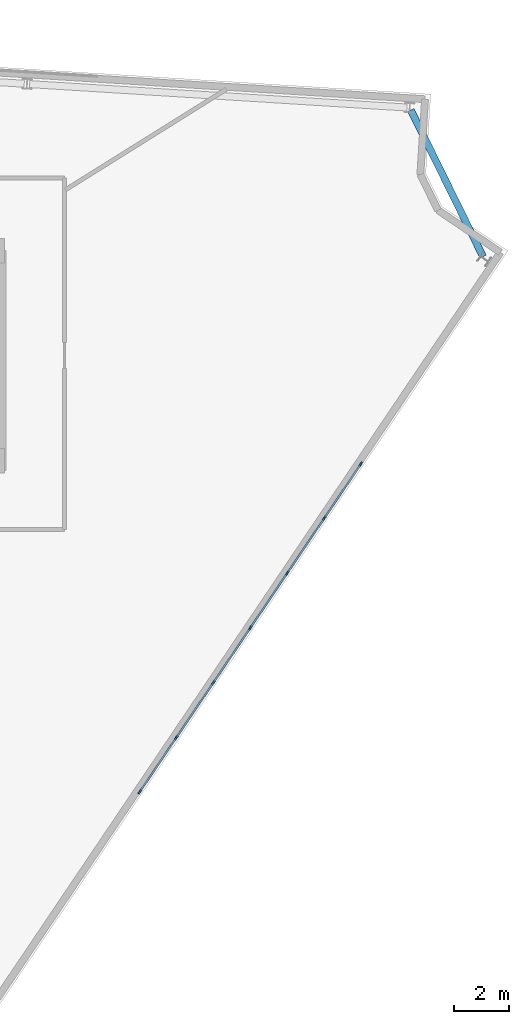
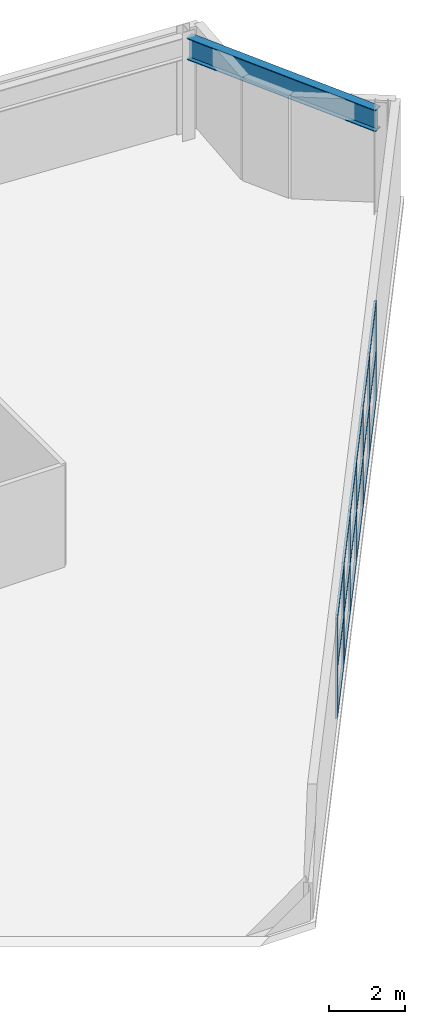
# One storey, part 4 of 8: 25 members, 1 beam, 1 element without a shape of its own.
"""IFC4 building model written with IfcOpenShell, lengths in metres."""

from ifc_helpers import new_model, si_unit, direction, frame, origin, origin_2d, place, context, subcontext, project, spatial, rectangle, i_section, extrude, material, layer, layer_set, material_profile, profile_set, type_object, element, aggregate, save


model = new_model("IFC4")

# Units and contexts
model_context = context("Model", 3, precision=1e-05, world=origin(), true_north=direction((0.0, 1.0)))
body_context = subcontext(model_context, "Body", "Model", "MODEL_VIEW")
ifc_project = project(units=[si_unit("LENGTHUNIT", "METRE"), si_unit("AREAUNIT", "SQUARE_METRE"), si_unit("VOLUMEUNIT", "CUBIC_METRE"), si_unit("PLANEANGLEUNIT", "RADIAN"), si_unit("MASSUNIT", "GRAM", prefix="KILO")], contexts=[model_context])

# Site, building, storey
site_placement = place(None, origin())
site = spatial("IfcSite", under=ifc_project, at=site_placement, CompositionType="ELEMENT")
building_placement = place(site_placement, origin())
building = spatial("IfcBuilding", under=site, at=building_placement, Name="Apsidion Concourse Tower", CompositionType="ELEMENT")
storey_placement = place(building_placement, frame((0.0, 0.0, 332.5)))
storey = spatial("IfcBuildingStorey", under=building, at=storey_placement, Name="L78", CompositionType="ELEMENT", Elevation=332.5)

# Beam
ifc_material_1 = material(Name="Structural steel ASTM A992 Grade 50", Category="steel")
ifc_material_profile_1 = material_profile(ifc_material_1, i_section(OverallWidth=0.256103515625, OverallDepth=0.693115234375, WebThickness=0.014404296875, FlangeThickness=0.023681640625, at=origin_2d()), Name="W27X114")
ifc_profile_set_1 = profile_set([ifc_material_profile_1], Name="Structural steel ASTM A992 Grade 50")
beam_type = type_object("IfcBeamType", Name="BM-SP-W27", PredefinedType="SPANDREL", material=ifc_profile_set_1)
beam_placement = place(storey_placement, frame((25.164794921875, 8.922119140625, 2.93359375), z_axis=(-0.441884134894, 0.897072132734, 0.0), x_axis=(-0.897072132734, -0.441884134894, 0.0)))
element("IfcBeam", 1, at=beam_placement, inside=storey, type_object=beam_type, Name="L78 Crown Perimeter Spandrel Beam CSP-02", PredefinedType="SPANDREL", context=body_context, shape_type="SweptSolid", body=[
    extrude(i_section(OverallWidth=0.256103515625, OverallDepth=0.693115234375, WebThickness=0.014404296875, FlangeThickness=0.023681640625, at=origin_2d()), origin(), (0.0, 0.0, 1.0), 5.982421875),
])

# Curtain wall, members
ifc_material_2 = material(Name="Insulated laminated low-E glass", Category="glass")
ifc_layer = layer(ifc_material_2, 0.239990234375)
ifc_layer_set = layer_set([ifc_layer], Name="Insulated laminated low-E glass")
curtain_wall_type = type_object("IfcCurtainWallType", Name="CW-SYS-06", PredefinedType="NOTDEFINED", material=ifc_layer_set)
curtain_wall_placement = place(storey_placement, origin())
curtain_wall = element("IfcCurtainWall", 2, at=curtain_wall_placement, inside=storey, type_object=curtain_wall_type, Name="L78 Slanted Crown Curtain Wall 8", PredefinedType="NOTDEFINED")
ifc_material_3 = material(Name="Anodised aluminium EN AW-6063 T6", Category="aluminium")
ifc_material_profile_2 = material_profile(ifc_material_3, rectangle(XDim=0.06494140625, YDim=0.179931640625, at=origin_2d()), Name="ALU MULLION 65x180")
ifc_profile_set_2 = profile_set([ifc_material_profile_2], Name="Anodised aluminium EN AW-6063 T6")
member_type_1 = type_object("IfcMemberType", Name="CWM-65X180", PredefinedType="MULLION", material=ifc_profile_set_2)
member_1_placement = place(storey_placement, frame((20.68896484375, 1.335693359375, 0.0), z_axis=(0.0, 0.0, 1.0), x_axis=(0.829038078637, -0.559192153172, 0.0)))
member_1 = element("IfcMember", 3, at=member_1_placement, type_object=member_type_1, Name="CW-06 mullion 1", PredefinedType="MULLION", context=body_context, shape_type="SweptSolid", body=[
    extrude(rectangle(XDim=0.06494140625, YDim=0.179931640625, at=origin_2d()), origin(), (0.0, 0.0, 1.0), 3.22998046875),
])
member_2_placement = place(storey_placement, frame((19.3525390625, -0.6455078125, 0.0), z_axis=(0.0, 0.0, 1.0), x_axis=(0.829038078637, -0.559192153172, 0.0)))
member_2 = element("IfcMember", 4, at=member_2_placement, type_object=member_type_1, Name="CW-06 mullion 2", PredefinedType="MULLION", context=body_context, shape_type="SweptSolid", body=[
    extrude(rectangle(XDim=0.06494140625, YDim=0.179931640625, at=origin_2d()), origin(), (0.0, 0.0, 1.0), 3.22998046875),
])
member_3_placement = place(storey_placement, frame((17.998046875, -2.653564453125, 0.0), z_axis=(0.0, 0.0, 1.0), x_axis=(0.829038078637, -0.559192153172, 0.0)))
member_3 = element("IfcMember", 5, at=member_3_placement, type_object=member_type_1, Name="CW-06 mullion 3", PredefinedType="MULLION", context=body_context, shape_type="SweptSolid", body=[
    extrude(rectangle(XDim=0.06494140625, YDim=0.179931640625, at=origin_2d()), origin(), (0.0, 0.0, 1.0), 3.22998046875),
])
member_4_placement = place(storey_placement, frame((16.643798828125, -4.66162109375, 0.0), z_axis=(0.0, 0.0, 1.0), x_axis=(0.829038078637, -0.559192153172, 0.0)))
member_4 = element("IfcMember", 6, at=member_4_placement, type_object=member_type_1, Name="CW-06 mullion 4", PredefinedType="MULLION", context=body_context, shape_type="SweptSolid", body=[
    extrude(rectangle(XDim=0.06494140625, YDim=0.179931640625, at=origin_2d()), origin(), (0.0, 0.0, 1.0), 3.22998046875),
])
member_5_placement = place(storey_placement, frame((15.289306640625, -6.669677734375, 0.0), z_axis=(0.0, 0.0, 1.0), x_axis=(0.829038078637, -0.559192153172, 0.0)))
member_5 = element("IfcMember", 7, at=member_5_placement, type_object=member_type_1, Name="CW-06 mullion 5", PredefinedType="MULLION", context=body_context, shape_type="SweptSolid", body=[
    extrude(rectangle(XDim=0.06494140625, YDim=0.179931640625, at=origin_2d()), origin(), (0.0, 0.0, 1.0), 3.22998046875),
])
member_6_placement = place(storey_placement, frame((13.934814453125, -8.677734375, 0.0), z_axis=(0.0, 0.0, 1.0), x_axis=(0.829038078637, -0.559192153172, 0.0)))
member_6 = element("IfcMember", 8, at=member_6_placement, type_object=member_type_1, Name="CW-06 mullion 6", PredefinedType="MULLION", context=body_context, shape_type="SweptSolid", body=[
    extrude(rectangle(XDim=0.06494140625, YDim=0.179931640625, at=origin_2d()), origin(), (0.0, 0.0, 1.0), 3.22998046875),
])
member_7_placement = place(storey_placement, frame((12.598388671875, -10.658935546875, 0.0), z_axis=(0.0, 0.0, 1.0), x_axis=(0.829038078637, -0.559192153172, 0.0)))
member_7 = element("IfcMember", 9, at=member_7_placement, type_object=member_type_1, Name="CW-06 mullion 7", PredefinedType="MULLION", context=body_context, shape_type="SweptSolid", body=[
    extrude(rectangle(XDim=0.06494140625, YDim=0.179931640625, at=origin_2d()), origin(), (0.0, 0.0, 1.0), 3.22998046875),
])
ifc_material_profile_3 = material_profile(ifc_material_3, rectangle(XDim=0.06494140625, YDim=0.139892578125, at=origin_2d()), Name="ALU TRANSOM 65x140")
ifc_profile_set_3 = profile_set([ifc_material_profile_3], Name="Anodised aluminium EN AW-6063 T6")
member_type_2 = type_object("IfcMemberType", Name="CWT-65X140", PredefinedType="USERDEFINED", material=ifc_profile_set_3)
member_8_placement = place(storey_placement, frame((20.670654296875, 1.30859375, 0.032470703125), z_axis=(-0.559151741242, -0.829065335342, 0.0), x_axis=(0.829065335342, -0.559151741242, 0.0)))
member_8 = element("IfcMember", 10, at=member_8_placement, type_object=member_type_2, Name="CW-06 transom 1.1", ObjectType="TRANSOM", PredefinedType="USERDEFINED", context=body_context, shape_type="SweptSolid", body=[
    extrude(rectangle(XDim=0.06494140625, YDim=0.139892578125, at=origin_2d()), origin(), (0.0, 0.0, 1.0), 2.32470703125),
])
member_9_placement = place(storey_placement, frame((20.670654296875, 1.30859375, 1.614990234375), z_axis=(-0.559151741242, -0.829065335342, 0.0), x_axis=(0.829065335342, -0.559151741242, 0.0)))
member_9 = element("IfcMember", 11, at=member_9_placement, type_object=member_type_2, Name="CW-06 transom 1.2", ObjectType="TRANSOM", PredefinedType="USERDEFINED", context=body_context, shape_type="SweptSolid", body=[
    extrude(rectangle(XDim=0.06494140625, YDim=0.139892578125, at=origin_2d()), origin(), (0.0, 0.0, 1.0), 2.32470703125),
])
member_10_placement = place(storey_placement, frame((20.670654296875, 1.30859375, 3.197509765625), z_axis=(-0.559151741242, -0.829065335342, 0.0), x_axis=(0.829065335342, -0.559151741242, 0.0)))
member_10 = element("IfcMember", 12, at=member_10_placement, type_object=member_type_2, Name="CW-06 transom 1.3", ObjectType="TRANSOM", PredefinedType="USERDEFINED", context=body_context, shape_type="SweptSolid", body=[
    extrude(rectangle(XDim=0.06494140625, YDim=0.139892578125, at=origin_2d()), origin(), (0.0, 0.0, 1.0), 2.32470703125),
])
member_11_placement = place(storey_placement, frame((19.33447265625, -0.67236328125, 0.032470703125), z_axis=(-0.559161534618, -0.82905873025, 0.0), x_axis=(0.82905873025, -0.559161534618, 0.0)))
member_11 = element("IfcMember", 13, at=member_11_placement, type_object=member_type_2, Name="CW-06 transom 2.1", ObjectType="TRANSOM", PredefinedType="USERDEFINED", context=body_context, shape_type="SweptSolid", body=[
    extrude(rectangle(XDim=0.06494140625, YDim=0.139892578125, at=origin_2d()), origin(), (0.0, 0.0, 1.0), 2.357421875),
])
member_12_placement = place(storey_placement, frame((19.33447265625, -0.67236328125, 1.614990234375), z_axis=(-0.559161534618, -0.82905873025, 0.0), x_axis=(0.82905873025, -0.559161534618, 0.0)))
member_12 = element("IfcMember", 14, at=member_12_placement, type_object=member_type_2, Name="CW-06 transom 2.2", ObjectType="TRANSOM", PredefinedType="USERDEFINED", context=body_context, shape_type="SweptSolid", body=[
    extrude(rectangle(XDim=0.06494140625, YDim=0.139892578125, at=origin_2d()), origin(), (0.0, 0.0, 1.0), 2.357421875),
])
member_13_placement = place(storey_placement, frame((19.33447265625, -0.67236328125, 3.197509765625), z_axis=(-0.559161534618, -0.82905873025, 0.0), x_axis=(0.82905873025, -0.559161534618, 0.0)))
member_13 = element("IfcMember", 15, at=member_13_placement, type_object=member_type_2, Name="CW-06 transom 2.3", ObjectType="TRANSOM", PredefinedType="USERDEFINED", context=body_context, shape_type="SweptSolid", body=[
    extrude(rectangle(XDim=0.06494140625, YDim=0.139892578125, at=origin_2d()), origin(), (0.0, 0.0, 1.0), 2.357421875),
])
member_14_placement = place(storey_placement, frame((17.97998046875, -2.680419921875, 0.032470703125), z_axis=(-0.559161534618, -0.82905873025, 0.0), x_axis=(0.82905873025, -0.559161534618, 0.0)))
member_14 = element("IfcMember", 16, at=member_14_placement, type_object=member_type_2, Name="CW-06 transom 3.1", ObjectType="TRANSOM", PredefinedType="USERDEFINED", context=body_context, shape_type="SweptSolid", body=[
    extrude(rectangle(XDim=0.06494140625, YDim=0.139892578125, at=origin_2d()), origin(), (0.0, 0.0, 1.0), 2.357421875),
])
member_15_placement = place(storey_placement, frame((17.97998046875, -2.680419921875, 1.614990234375), z_axis=(-0.559161534618, -0.82905873025, 0.0), x_axis=(0.82905873025, -0.559161534618, 0.0)))
member_15 = element("IfcMember", 17, at=member_15_placement, type_object=member_type_2, Name="CW-06 transom 3.2", ObjectType="TRANSOM", PredefinedType="USERDEFINED", context=body_context, shape_type="SweptSolid", body=[
    extrude(rectangle(XDim=0.06494140625, YDim=0.139892578125, at=origin_2d()), origin(), (0.0, 0.0, 1.0), 2.357421875),
])
member_16_placement = place(storey_placement, frame((17.97998046875, -2.680419921875, 3.197509765625), z_axis=(-0.559161534618, -0.82905873025, 0.0), x_axis=(0.82905873025, -0.559161534618, 0.0)))
member_16 = element("IfcMember", 18, at=member_16_placement, type_object=member_type_2, Name="CW-06 transom 3.3", ObjectType="TRANSOM", PredefinedType="USERDEFINED", context=body_context, shape_type="SweptSolid", body=[
    extrude(rectangle(XDim=0.06494140625, YDim=0.139892578125, at=origin_2d()), origin(), (0.0, 0.0, 1.0), 2.357421875),
])
member_17_placement = place(storey_placement, frame((16.62548828125, -4.6884765625, 0.032470703125), z_axis=(-0.559161534618, -0.82905873025, 0.0), x_axis=(0.82905873025, -0.559161534618, 0.0)))
member_17 = element("IfcMember", 19, at=member_17_placement, type_object=member_type_2, Name="CW-06 transom 4.1", ObjectType="TRANSOM", PredefinedType="USERDEFINED", context=body_context, shape_type="SweptSolid", body=[
    extrude(rectangle(XDim=0.06494140625, YDim=0.139892578125, at=origin_2d()), origin(), (0.0, 0.0, 1.0), 2.357421875),
])
member_18_placement = place(storey_placement, frame((16.62548828125, -4.6884765625, 1.614990234375), z_axis=(-0.559161534618, -0.82905873025, 0.0), x_axis=(0.82905873025, -0.559161534618, 0.0)))
member_18 = element("IfcMember", 20, at=member_18_placement, type_object=member_type_2, Name="CW-06 transom 4.2", ObjectType="TRANSOM", PredefinedType="USERDEFINED", context=body_context, shape_type="SweptSolid", body=[
    extrude(rectangle(XDim=0.06494140625, YDim=0.139892578125, at=origin_2d()), origin(), (0.0, 0.0, 1.0), 2.357421875),
])
member_19_placement = place(storey_placement, frame((16.62548828125, -4.6884765625, 3.197509765625), z_axis=(-0.559161534618, -0.82905873025, 0.0), x_axis=(0.82905873025, -0.559161534618, 0.0)))
member_19 = element("IfcMember", 21, at=member_19_placement, type_object=member_type_2, Name="CW-06 transom 4.3", ObjectType="TRANSOM", PredefinedType="USERDEFINED", context=body_context, shape_type="SweptSolid", body=[
    extrude(rectangle(XDim=0.06494140625, YDim=0.139892578125, at=origin_2d()), origin(), (0.0, 0.0, 1.0), 2.357421875),
])
member_20_placement = place(storey_placement, frame((15.27099609375, -6.69677734375, 0.032470703125), z_axis=(-0.559209549444, -0.829026344461, 0.0), x_axis=(0.829026344461, -0.559209549444, 0.0)))
member_20 = element("IfcMember", 22, at=member_20_placement, type_object=member_type_2, Name="CW-06 transom 5.1", ObjectType="TRANSOM", PredefinedType="USERDEFINED", context=body_context, shape_type="SweptSolid", body=[
    extrude(rectangle(XDim=0.06494140625, YDim=0.139892578125, at=origin_2d()), origin(), (0.0, 0.0, 1.0), 2.357177734375),
])
member_21_placement = place(storey_placement, frame((15.27099609375, -6.69677734375, 1.614990234375), z_axis=(-0.559209549444, -0.829026344461, 0.0), x_axis=(0.829026344461, -0.559209549444, 0.0)))
member_21 = element("IfcMember", 23, at=member_21_placement, type_object=member_type_2, Name="CW-06 transom 5.2", ObjectType="TRANSOM", PredefinedType="USERDEFINED", context=body_context, shape_type="SweptSolid", body=[
    extrude(rectangle(XDim=0.06494140625, YDim=0.139892578125, at=origin_2d()), origin(), (0.0, 0.0, 1.0), 2.357177734375),
])
member_22_placement = place(storey_placement, frame((15.27099609375, -6.69677734375, 3.197509765625), z_axis=(-0.559209549444, -0.829026344461, 0.0), x_axis=(0.829026344461, -0.559209549444, 0.0)))
member_22 = element("IfcMember", 24, at=member_22_placement, type_object=member_type_2, Name="CW-06 transom 5.3", ObjectType="TRANSOM", PredefinedType="USERDEFINED", context=body_context, shape_type="SweptSolid", body=[
    extrude(rectangle(XDim=0.06494140625, YDim=0.139892578125, at=origin_2d()), origin(), (0.0, 0.0, 1.0), 2.357177734375),
])
member_23_placement = place(storey_placement, frame((13.91650390625, -8.704833984375, 0.032470703125), z_axis=(-0.559151741242, -0.829065335342, 0.0), x_axis=(0.829065335342, -0.559151741242, 0.0)))
member_23 = element("IfcMember", 25, at=member_23_placement, type_object=member_type_2, Name="CW-06 transom 6.1", ObjectType="TRANSOM", PredefinedType="USERDEFINED", context=body_context, shape_type="SweptSolid", body=[
    extrude(rectangle(XDim=0.06494140625, YDim=0.139892578125, at=origin_2d()), origin(), (0.0, 0.0, 1.0), 2.32470703125),
])
member_24_placement = place(storey_placement, frame((13.91650390625, -8.704833984375, 1.614990234375), z_axis=(-0.559151741242, -0.829065335342, 0.0), x_axis=(0.829065335342, -0.559151741242, 0.0)))
member_24 = element("IfcMember", 26, at=member_24_placement, type_object=member_type_2, Name="CW-06 transom 6.2", ObjectType="TRANSOM", PredefinedType="USERDEFINED", context=body_context, shape_type="SweptSolid", body=[
    extrude(rectangle(XDim=0.06494140625, YDim=0.139892578125, at=origin_2d()), origin(), (0.0, 0.0, 1.0), 2.32470703125),
])
member_25_placement = place(storey_placement, frame((13.91650390625, -8.704833984375, 3.197509765625), z_axis=(-0.559151741242, -0.829065335342, 0.0), x_axis=(0.829065335342, -0.559151741242, 0.0)))
member_25 = element("IfcMember", 27, at=member_25_placement, type_object=member_type_2, Name="CW-06 transom 6.3", ObjectType="TRANSOM", PredefinedType="USERDEFINED", context=body_context, shape_type="SweptSolid", body=[
    extrude(rectangle(XDim=0.06494140625, YDim=0.139892578125, at=origin_2d()), origin(), (0.0, 0.0, 1.0), 2.32470703125),
])
aggregate(curtain_wall, [member_1, member_2, member_3, member_4, member_5, member_6, member_7, member_8, member_9, member_10, member_11, member_12, member_13, member_14, member_15, member_16, member_17, member_18, member_19, member_20, member_21, member_22, member_23, member_24, member_25])

save(model, "model.ifc")
